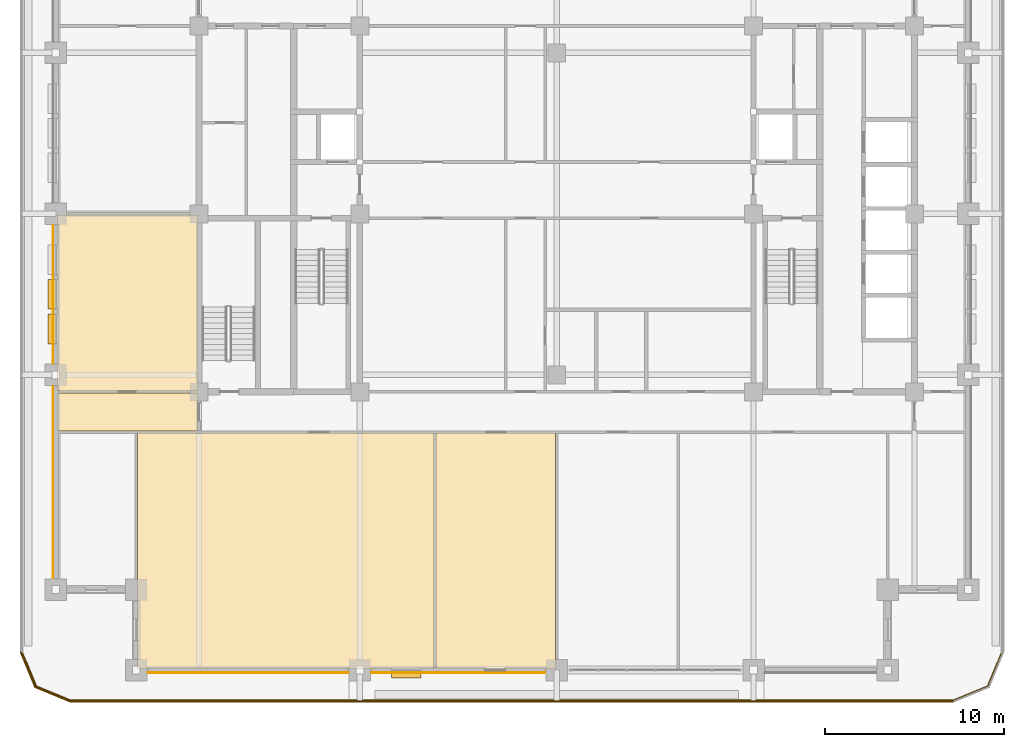
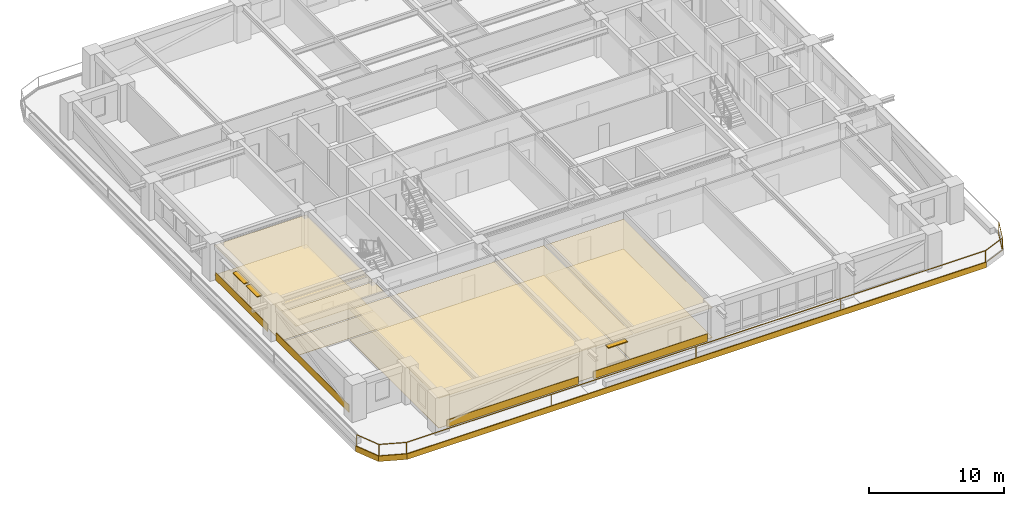
# One storey, part 13 of 20: 15 coverings, 3 shading devices, 1 railing.
"""IFC4 building model written with IfcOpenShell, lengths in metres."""

from ifc_helpers import new_model, si_unit, direction, frame, frame_2d, origin, origin_2d, place, context, subcontext, project, spatial, polyline, rectangle, outline, extrude, material, layer, layer_set, type_object, element, save


model = new_model("IFC4")

# Units and contexts
model_context = context("Model", 3, precision=1e-05, world=origin(), true_north=direction((0.0, 1.0)))
body_context = subcontext(model_context, "Body", "Model", "MODEL_VIEW")
ifc_project = project(units=[si_unit("LENGTHUNIT", "METRE"), si_unit("AREAUNIT", "SQUARE_METRE"), si_unit("VOLUMEUNIT", "CUBIC_METRE"), si_unit("PLANEANGLEUNIT", "RADIAN"), si_unit("MASSUNIT", "GRAM", prefix="KILO")], contexts=[model_context])

# Site, building, storey
site_placement = place(None, origin())
site = spatial("IfcSite", under=ifc_project, at=site_placement, CompositionType="ELEMENT")
building_placement = place(site_placement, origin())
building = spatial("IfcBuilding", under=site, at=building_placement, Name="Zulmaris Gate Convention Tower", CompositionType="ELEMENT")
storey_placement = place(building_placement, frame((0.0, 0.0, 142.769775390625)))
storey = spatial("IfcBuildingStorey", under=building, at=storey_placement, Name="L36", CompositionType="ELEMENT", Elevation=142.769775390625)

# Coverings
ifc_material_1 = material(Name="Precast concrete C40/50", Category="concrete")
ifc_layer_1 = layer(ifc_material_1, 0.0400390625, Name="Precast concrete C40/50")
ifc_layer_set_1 = layer_set([ifc_layer_1], Name="Precast concrete C40/50")
covering_type_1 = type_object("IfcCoveringType", Name="CLAD-SPANDREL-PRECAST", PredefinedType="CLADDING", material=ifc_layer_set_1)
covering_1_placement = place(storey_placement, frame((-22.8701171875, -25.64990234375, 0.0), z_axis=(0.0, 0.0, 1.0), x_axis=(1.0, 0.0, 0.0)))
element("IfcCovering", 1, at=covering_1_placement, inside=storey, type_object=covering_type_1, Name="CLD-L36-S-0_0", PredefinedType="CLADDING", context=body_context, shape_type="SweptSolid", body=[
    extrude(rectangle(XDim=11.240234375, YDim=0.0400390625, at=frame_2d((5.6201171875, 0.0))), origin(), (0.0, 0.0, 1.0), 0.679931640625),
])
covering_2_placement = place(storey_placement, frame((-10.3701171875, -25.64990234375, 0.0), z_axis=(0.0, 0.0, 1.0), x_axis=(1.0, 0.0, 0.0)))
element("IfcCovering", 2, at=covering_2_placement, inside=storey, type_object=covering_type_1, Name="CLD-L36-S-1_0", PredefinedType="CLADDING", context=body_context, shape_type="SweptSolid", body=[
    extrude(rectangle(XDim=9.740234375, YDim=0.0400390625, at=frame_2d((4.8701171875, 0.0))), origin(), (0.0, 0.0, 1.0), 0.679931640625),
])
covering_3_placement = place(storey_placement, frame((-28.14990234375, -9.6298828125, 0.0), z_axis=(0.0, 0.0, 1.0), x_axis=(0.0, -1.0, 0.0)))
element("IfcCovering", 3, at=covering_3_placement, inside=storey, type_object=covering_type_1, Name="CLD-L36-W-0_0", PredefinedType="CLADDING", context=body_context, shape_type="SweptSolid", body=[
    extrude(rectangle(XDim=10.740234375, YDim=0.0400390625, at=frame_2d((5.3701171875, 0.0))), origin(), (0.0, 0.0, 1.0), 0.679931640625),
])
covering_4_placement = place(storey_placement, frame((-28.14990234375, -0.6298828125, 0.0), z_axis=(0.0, 0.0, 1.0), x_axis=(0.0, -1.0, 0.0)))
element("IfcCovering", 4, at=covering_4_placement, inside=storey, type_object=covering_type_1, Name="CLD-L36-W-1_0", PredefinedType="CLADDING", context=body_context, shape_type="SweptSolid", body=[
    extrude(rectangle(XDim=7.740234375, YDim=0.0400390625, at=frame_2d((3.8701171875, 0.0))), origin(), (0.0, 0.0, 1.0), 0.679931640625),
])
ifc_material_2 = material(Name="White Glazed Architectural Precast Concrete C40/50", Category="concrete")
ifc_layer_2 = layer(ifc_material_2, 0.080078125, Name="White Glazed Architectural Precast Concrete C40/50")
ifc_layer_set_2 = layer_set([ifc_layer_2], Name="White Glazed Architectural Precast Concrete C40/50")
covering_type_2 = type_object("IfcCoveringType", Name="CLAD-TRAY-FASCIA", PredefinedType="CLADDING", material=ifc_layer_set_2)
covering_5_placement = place(storey_placement, frame((-29.962890625, -24.484619140625, -0.364990234375), z_axis=(0.0, 0.0, 1.0), x_axis=(0.382656984709, -0.923890487046, 0.0)))
element("IfcCovering", 5, at=covering_5_placement, inside=storey, type_object=covering_type_2, Name="FSC-L36-TR-00", PredefinedType="CLADDING", context=body_context, shape_type="SweptSolid", body=[
    extrude(rectangle(XDim=2.14306640625, YDim=0.080078125, at=frame_2d((1.071533203125, 0.0))), origin(), (0.0, 0.0, 1.0), 0.5),
])
covering_6_placement = place(storey_placement, frame((-29.16455078125, -26.44287109375, -0.364990234375), z_axis=(0.0, 0.0, 1.0), x_axis=(0.923873803533, -0.382697263049, 0.0)))
element("IfcCovering", 6, at=covering_6_placement, inside=storey, type_object=covering_type_2, Name="FSC-L36-TR-01", PredefinedType="CLADDING", context=body_context, shape_type="SweptSolid", body=[
    extrude(rectangle(XDim=2.142822265625, YDim=0.080078125, at=frame_2d((1.0712890625, 0.0))), origin(), (0.0, 0.0, 1.0), 0.5),
])
covering_7_placement = place(storey_placement, frame((-27.199951171875, -27.260009765625, -0.364990234375), z_axis=(0.0, 0.0, 1.0), x_axis=(1.0, 0.0, 0.0)))
element("IfcCovering", 7, at=covering_7_placement, inside=storey, type_object=covering_type_2, Name="FSC-L36-TR-02", PredefinedType="CLADDING", context=body_context, shape_type="SweptSolid", body=[
    extrude(rectangle(XDim=49.39990234375, YDim=0.080078125, at=frame_2d((24.699951171875, 0.0))), origin(), (0.0, 0.0, 1.0), 0.5),
])
ifc_material_3 = material(Name="Mineral Fibre Acoustic Ceiling Tile")
ifc_layer_3 = layer(ifc_material_3, 0.02001953125, Name="Mineral Fibre Acoustic Ceiling Tile")
ifc_layer_set_3 = layer_set([ifc_layer_3], Name="Mineral Fibre Acoustic Ceiling Tile")
covering_type_3 = type_object("IfcCoveringType", Name="CLG-ACOUSTIC-600", PredefinedType="CEILING", material=ifc_layer_set_3)
covering_8_placement = place(storey_placement, frame((0.0, 0.0, 2.679931640625)))
element("IfcCovering", 8, at=covering_8_placement, inside=storey, type_object=covering_type_3, Name="CLG-L36-R36", PredefinedType="CEILING", context=body_context, shape_type="SweptSolid", body=[
    extrude(outline(polyline([(-23.43994140625, -25.43994140625), (-6.860107421875, -25.43994140625), (-6.860107421875, -12.260009765625), (-23.43994140625, -12.260009765625), (-23.43994140625, -25.43994140625)])), origin(), (0.0, 0.0, 1.0), 0.02001953125),
])
covering_9_placement = place(storey_placement, frame((0.0, 0.0, 2.679931640625)))
element("IfcCovering", 9, at=covering_9_placement, inside=storey, type_object=covering_type_3, Name="CLG-L36-R37", PredefinedType="CEILING", context=body_context, shape_type="SweptSolid", body=[
    extrude(outline(polyline([(-6.739990234375, -25.43994140625), (-0.06005859375, -25.43994140625), (-0.06005859375, -12.260009765625), (-6.739990234375, -12.260009765625), (-6.739990234375, -25.43994140625)])), origin(), (0.0, 0.0, 1.0), 0.02001953125),
])
covering_10_placement = place(storey_placement, frame((0.0, 0.0, 2.679931640625)))
element("IfcCovering", 10, at=covering_10_placement, inside=storey, type_object=covering_type_3, Name="CLG-L36-R48", PredefinedType="CEILING", context=body_context, shape_type="SweptSolid", body=[
    extrude(outline(polyline([(-27.93994140625, -12.139892578125), (-20.06005859375, -12.139892578125), (-20.06005859375, -10.010009765625), (-27.93994140625, -10.010009765625), (-27.93994140625, -12.139892578125)])), origin(), (0.0, 0.0, 1.0), 0.02001953125),
])
covering_11_placement = place(storey_placement, frame((0.0, 0.0, 2.679931640625)))
element("IfcCovering", 11, at=covering_11_placement, inside=storey, type_object=covering_type_3, Name="CLG-L36-R50", PredefinedType="CEILING", context=body_context, shape_type="SweptSolid", body=[
    extrude(outline(polyline([(-27.93994140625, -9.889892578125), (-20.06005859375, -9.889892578125), (-20.06005859375, -0.06005859375), (-27.93994140625, -0.06005859375), (-27.93994140625, -9.889892578125)])), origin(), (0.0, 0.0, 1.0), 0.02001953125),
])
ifc_material_4 = material(Name="Woven Acoustic Wool Carpet Tile")
ifc_layer_4 = layer(ifc_material_4, 0.02001953125, Name="Woven Acoustic Wool Carpet Tile")
ifc_layer_set_4 = layer_set([ifc_layer_4], Name="Woven Acoustic Wool Carpet Tile")
covering_type_4 = type_object("IfcCoveringType", Name="FLR-CARPET-12", PredefinedType="FLOORING", material=ifc_layer_set_4)
covering_12_placement = place(storey_placement, origin())
element("IfcCovering", 12, at=covering_12_placement, inside=storey, type_object=covering_type_4, Name="FLR-L36-R36", PredefinedType="FLOORING", context=body_context, shape_type="SweptSolid", body=[
    extrude(outline(polyline([(-23.43994140625, -25.43994140625), (-6.860107421875, -25.43994140625), (-6.860107421875, -12.260009765625), (-23.43994140625, -12.260009765625), (-23.43994140625, -25.43994140625)])), origin(), (0.0, 0.0, 1.0), 0.02001953125),
])
covering_13_placement = place(storey_placement, origin())
element("IfcCovering", 13, at=covering_13_placement, inside=storey, type_object=covering_type_4, Name="FLR-L36-R48", PredefinedType="FLOORING", context=body_context, shape_type="SweptSolid", body=[
    extrude(outline(polyline([(-27.93994140625, -12.139892578125), (-20.06005859375, -12.139892578125), (-20.06005859375, -10.010009765625), (-27.93994140625, -10.010009765625), (-27.93994140625, -12.139892578125)])), origin(), (0.0, 0.0, 1.0), 0.02001953125),
])
covering_14_placement = place(storey_placement, origin())
element("IfcCovering", 14, at=covering_14_placement, inside=storey, type_object=covering_type_4, Name="FLR-L36-R50", PredefinedType="FLOORING", context=body_context, shape_type="SweptSolid", body=[
    extrude(outline(polyline([(-27.93994140625, -9.889892578125), (-20.06005859375, -9.889892578125), (-20.06005859375, -0.06005859375), (-27.93994140625, -0.06005859375), (-27.93994140625, -9.889892578125)])), origin(), (0.0, 0.0, 1.0), 0.02001953125),
])
ifc_material_5 = material(Name="Engineered Teak Parquet Flooring")
ifc_layer_5 = layer(ifc_material_5, 0.02001953125, Name="Engineered Teak Parquet Flooring")
ifc_layer_set_5 = layer_set([ifc_layer_5], Name="Engineered Teak Parquet Flooring")
covering_type_5 = type_object("IfcCoveringType", Name="FLR-TIMBER-18", PredefinedType="FLOORING", material=ifc_layer_set_5)
covering_15_placement = place(storey_placement, origin())
element("IfcCovering", 15, at=covering_15_placement, inside=storey, type_object=covering_type_5, Name="FLR-L36-R37", PredefinedType="FLOORING", context=body_context, shape_type="SweptSolid", body=[
    extrude(outline(polyline([(-6.739990234375, -25.43994140625), (-0.06005859375, -25.43994140625), (-0.06005859375, -12.260009765625), (-6.739990234375, -12.260009765625), (-6.739990234375, -25.43994140625)])), origin(), (0.0, 0.0, 1.0), 0.02001953125),
])

# Railing
ifc_material_6 = material(Name="Laminated Glass and Stainless Steel", Category="steel")
railing_type = type_object("IfcRailingType", Name="RL-BALC-1150", PredefinedType="BALUSTRADE", material=ifc_material_6)
railing_placement = place(storey_placement, frame((-29.8798828125, -24.5, -0.02490234375)))
element("IfcRailing", 16, at=railing_placement, inside=storey, type_object=railing_type, Name="RL-L36-BALC-S", PredefinedType="BALUSTRADE", context=body_context, shape_type="SweptSolid", body=[
    extrude(rectangle(XDim=0.048095703125, YDim=0.048095703125, at=origin_2d()), frame((0.0, 0.0, 1.1259765625), z_axis=(0.382670664694, -0.92388482095, 0.0), x_axis=(0.92388482095, 0.382670664694, 0.0)), (0.0, 0.0, 1.0), 2.051025390625),
    extrude(rectangle(XDim=0.048095703125, YDim=0.048095703125, at=origin_2d()), frame((0.0, 0.0, 0.02392578125), z_axis=(0.382670664694, -0.92388482095, 0.0), x_axis=(0.92388482095, 0.382670664694, 0.0)), (0.0, 0.0, 1.0), 2.051025390625),
    extrude(rectangle(XDim=0.048095703125, YDim=0.048095703125, at=origin_2d()), frame((0.784912109375, -1.89501953125, 1.1259765625), z_axis=(0.92388482095, -0.382670664694, 0.0), x_axis=(0.382670664694, 0.92388482095, 0.0)), (0.0, 0.0, 1.0), 2.051025390625),
    extrude(rectangle(XDim=0.048095703125, YDim=0.048095703125, at=origin_2d()), frame((0.784912109375, -1.89501953125, 0.02392578125), z_axis=(0.92388482095, -0.382670664694, 0.0), x_axis=(0.382670664694, 0.92388482095, 0.0)), (0.0, 0.0, 1.0), 2.051025390625),
    extrude(rectangle(XDim=0.048095703125, YDim=0.048095703125, at=origin_2d()), frame((2.679931640625, -2.679931640625, 1.1259765625), z_axis=(1.0, 0.0, 0.0), x_axis=(0.0, 1.0, 0.0)), (0.0, 0.0, 1.0), 49.39990234375),
    extrude(rectangle(XDim=0.048095703125, YDim=0.048095703125, at=origin_2d()), frame((2.679931640625, -2.679931640625, 0.02392578125), z_axis=(1.0, 0.0, 0.0), x_axis=(0.0, 1.0, 0.0)), (0.0, 0.0, 1.0), 49.39990234375),
    extrude(rectangle(XDim=0.048095703125, YDim=0.048095703125, at=origin_2d()), frame((52.079833984375, -2.679931640625, 1.1259765625), z_axis=(0.92388482095, 0.382670664694, 0.0), x_axis=(-0.382670664694, 0.92388482095, 0.0)), (0.0, 0.0, 1.0), 2.051025390625),
    extrude(rectangle(XDim=0.048095703125, YDim=0.048095703125, at=origin_2d()), frame((52.079833984375, -2.679931640625, 0.02392578125), z_axis=(0.92388482095, 0.382670664694, 0.0), x_axis=(-0.382670664694, 0.92388482095, 0.0)), (0.0, 0.0, 1.0), 2.051025390625),
    extrude(rectangle(XDim=0.048095703125, YDim=0.048095703125, at=origin_2d()), frame((53.974853515625, -1.89501953125, 1.1259765625), z_axis=(0.382670664694, 0.92388482095, 0.0), x_axis=(-0.92388482095, 0.382670664694, 0.0)), (0.0, 0.0, 1.0), 2.051025390625),
    extrude(rectangle(XDim=0.048095703125, YDim=0.048095703125, at=origin_2d()), frame((53.974853515625, -1.89501953125, 0.02392578125), z_axis=(0.382670664694, 0.92388482095, 0.0), x_axis=(-0.92388482095, 0.382670664694, 0.0)), (0.0, 0.0, 1.0), 2.051025390625),
    extrude(rectangle(XDim=0.0419921875, YDim=0.0419921875, at=origin_2d()), origin(), (0.0, 0.0, 1.0), 1.101806640625),
    extrude(rectangle(XDim=0.0419921875, YDim=0.0419921875, at=origin_2d()), frame((0.784912109375, -1.89501953125, 0.0)), (0.0, 0.0, 1.0), 1.101806640625),
    extrude(rectangle(XDim=0.0419921875, YDim=0.0419921875, at=origin_2d()), frame((2.679931640625, -2.679931640625, 0.0)), (0.0, 0.0, 1.0), 1.101806640625),
    extrude(rectangle(XDim=0.0419921875, YDim=0.0419921875, at=origin_2d()), frame((15.02978515625, -2.679931640625, 0.0)), (0.0, 0.0, 1.0), 1.101806640625),
    extrude(rectangle(XDim=0.0419921875, YDim=0.0419921875, at=origin_2d()), frame((27.3798828125, -2.679931640625, 0.0)), (0.0, 0.0, 1.0), 1.101806640625),
    extrude(rectangle(XDim=0.0419921875, YDim=0.0419921875, at=origin_2d()), frame((39.72998046875, -2.679931640625, 0.0)), (0.0, 0.0, 1.0), 1.101806640625),
    extrude(rectangle(XDim=0.0419921875, YDim=0.0419921875, at=origin_2d()), frame((52.079833984375, -2.679931640625, 0.0)), (0.0, 0.0, 1.0), 1.101806640625),
    extrude(rectangle(XDim=0.0419921875, YDim=0.0419921875, at=origin_2d()), frame((53.974853515625, -1.89501953125, 0.0)), (0.0, 0.0, 1.0), 1.101806640625),
    extrude(rectangle(XDim=0.0419921875, YDim=0.0419921875, at=origin_2d()), frame((54.759765625, 0.0, 0.0)), (0.0, 0.0, 1.0), 1.101806640625),
])

# Shading devices
ifc_material_7 = material(Name="Glazed Ceramic Terracotta", Category="masonry")
ifc_layer_6 = layer(ifc_material_7, 0.070068359375, Name="Glazed Ceramic Terracotta")
ifc_layer_set_6 = layer_set([ifc_layer_6], Name="Glazed Ceramic Terracotta")
shading_device_type = type_object("IfcShadingDeviceType", Name="SHD-SUNSHADE-TC", PredefinedType="AWNING", material=ifc_layer_set_6)
shading_device_placement = place(storey_placement, frame((-9.2470703125, -25.719970703125, 2.530029296875), z_axis=(0.0, 0.0, 1.0), x_axis=(1.0, 0.0, 0.0)))
element("IfcShadingDevice", 17, at=shading_device_placement, inside=storey, type_object=shading_device_type, Name="SHD-EW-L36-S-1_0-1", PredefinedType="AWNING", context=body_context, shape_type="SweptSolid", body=[
    extrude(rectangle(XDim=1.650146484375, YDim=0.43994140625, at=frame_2d((0.8251953125, 0.0))), origin(), (0.0, 0.0, 1.0), 0.070068359375),
])
for number, where, z_axis, x_axis, name in (
    (18, (-28.219970703125, -3.675048828125, 2.530029296875), (0.0, 0.0, 1.0), (0.0, -1.0, 0.0), "SHD-EW-L36-W-1_0-2"),
    (19, (-28.219970703125, -5.610107421875, 2.530029296875), (0.0, 0.0, 1.0), (0.0, -1.0, 0.0), "SHD-EW-L36-W-1_0-3"),
):
    element("IfcShadingDevice", number, at=place(storey_placement, frame(where, z_axis=z_axis, x_axis=x_axis)), inside=storey, type_object=shading_device_type, Name=name, PredefinedType="AWNING", context=body_context, shape_type="SweptSolid", body=[
        extrude(rectangle(XDim=1.64990234375, YDim=0.43994140625, at=frame_2d((0.824951171875, 0.0))), origin(), (0.0, 0.0, 1.0), 0.070068359375),
    ])

save(model, "model.ifc")
